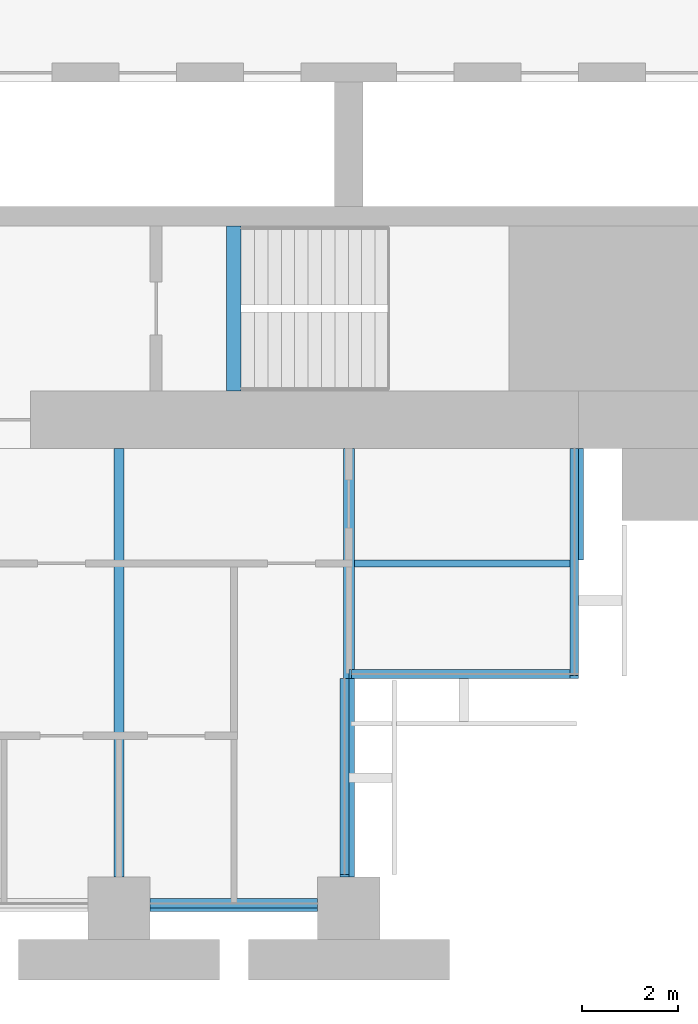
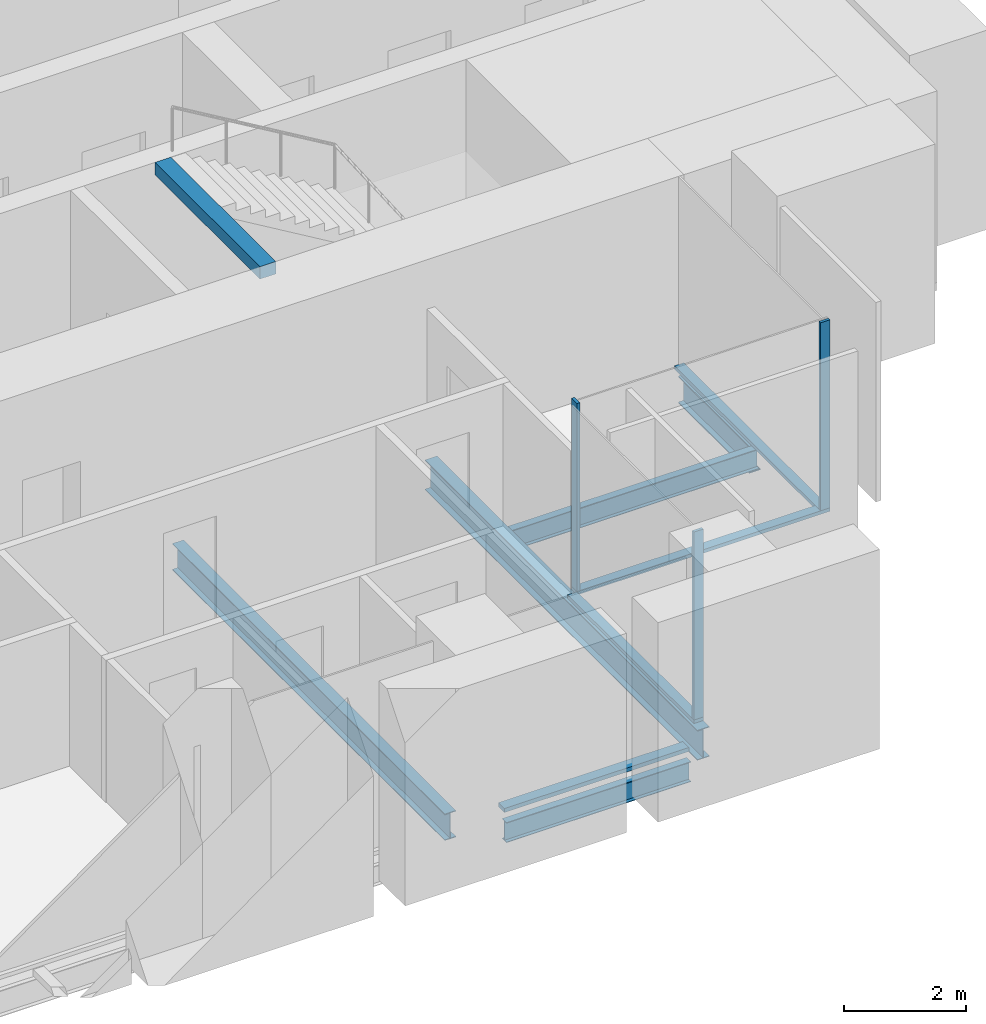
# One storey, part 4 of 14: 7 members, 6 beams, 4 elements without a shape of their own.
"""IFC4 building model written with IfcOpenShell, lengths in metres."""

import ifcopenshell
import ifcopenshell.guid

model = None  # the IFC model being written
_history = None  # IfcOwnerHistory: only IFC2X3 demands one
_inside = {}  # id of a spatial element -> (the spatial element, [elements in it])
_under = {}  # id of a project, library or spatial element -> (it, [spatial elements below it])
_declared = {}  # id of a project -> (the project, [libraries it declares])
_typed = {}  # id of a type object -> (the type object, [elements of that type])
_made_of = {}  # id of a material, layer set ... -> (it, [elements and type objects made of it])


def new_model(schema):
    """Start an empty IFC model of exactly this schema.

    Asked for "IFC4X3", IfcOpenShell would pick the latest addendum, in which some entities
    have other attributes; the version numbers below select the first issue.
    IFC2X3 requires an IfcOwnerHistory on every rooted entity: one is made here for all.
    """
    global model, _history
    if schema == "IFC4X3":
        model = ifcopenshell.file(schema_version=(4, 3, 0, 0))
    else:
        model = ifcopenshell.file(schema=schema)
    _inside.clear()
    _under.clear()
    _declared.clear()
    _typed.clear()
    _made_of.clear()
    _history = None
    if model.schema == "IFC2X3":
        org = make("IfcOrganization", Name="unknown")
        user = make(
            "IfcPersonAndOrganization",
            ThePerson=make("IfcPerson", FamilyName="unknown"),
            TheOrganization=org,
        )
        app = make(
            "IfcApplication",
            ApplicationDeveloper=org,
            Version="unknown",
            ApplicationFullName="unknown",
            ApplicationIdentifier="unknown",
        )
        _history = make(
            "IfcOwnerHistory",
            OwningUser=user,
            OwningApplication=app,
            ChangeAction="ADDED",
            CreationDate=0,
        )
    return model


def make(cls, **values):
    """One entity of the class cls with the attributes given. An attribute that is None is left unset."""
    return model.create_entity(
        cls, **{name: value for name, value in values.items() if value is not None}
    )


def rooted(cls, **values):
    """An entity with a GlobalId (a new one), such as an element, a storey or a relation."""
    return make(cls, GlobalId=ifcopenshell.guid.new(), OwnerHistory=_history, **values)


def si_unit(unit_type, name, prefix=None):
    """IfcSIUnit, for example si_unit("LENGTHUNIT", "METRE", prefix="MILLI")."""
    return make("IfcSIUnit", UnitType=unit_type, Prefix=prefix, Name=name)


def assignment(units):
    """IfcUnitAssignment: the units of a project."""
    return None if units is None else make("IfcUnitAssignment", Units=units)


def point(xyz):
    """IfcCartesianPoint."""
    return None if xyz is None else make("IfcCartesianPoint", Coordinates=xyz)


def direction(xyz):
    """IfcDirection."""
    return None if xyz is None else make("IfcDirection", DirectionRatios=xyz)


def frame(location, z_axis=None, x_axis=None):
    """IfcAxis2Placement3D, a coordinate frame: its origin and axes. An axis left out is left unset."""
    return make(
        "IfcAxis2Placement3D",
        Location=point(location),
        Axis=direction(z_axis),
        RefDirection=direction(x_axis),
    )


def frame_2d(location, x_axis=None):
    """IfcAxis2Placement2D, a coordinate frame in the plane: its origin and x axis."""
    return make(
        "IfcAxis2Placement2D", Location=point(location), RefDirection=direction(x_axis)
    )


def origin():
    """The frame at (0, 0, 0) with its axes left unset."""
    return frame((0.0, 0.0, 0.0))


def origin_2d():
    """The frame at (0, 0) in the plane with its x axis left unset."""
    return frame_2d((0.0, 0.0))


def place(relative_to, where):
    """IfcLocalPlacement: puts the frame where relative to a parent placement (None: the world)."""
    return make(
        "IfcLocalPlacement", PlacementRelTo=relative_to, RelativePlacement=where
    )


def context(
    kind, dimensions, precision=None, world=None, true_north=None, identifier=None
):
    """IfcGeometricRepresentationContext, for example the 3D "Model" context."""
    return make(
        "IfcGeometricRepresentationContext",
        ContextIdentifier=identifier,
        ContextType=kind,
        CoordinateSpaceDimension=dimensions,
        Precision=precision,
        WorldCoordinateSystem=world,
        TrueNorth=true_north,
    )


def subcontext(parent, identifier, kind, view, scale=None):
    """IfcGeometricRepresentationSubContext, for example "Body" below "Model"."""
    return make(
        "IfcGeometricRepresentationSubContext",
        ContextIdentifier=identifier,
        ContextType=kind,
        ParentContext=parent,
        TargetScale=scale,
        TargetView=view,
    )


def project(units=None, contexts=None):
    """IfcProject with its units and contexts."""
    return rooted(
        "IfcProject",
        Name="project",
        RepresentationContexts=contexts,
        UnitsInContext=assignment(units),
    )


def spatial(cls, under=None, at=None, **own):
    """A site, building, storey or space (cls), placed at a placement, below another one or the project."""
    s = rooted(cls, ObjectPlacement=at, **own)
    if under is not None:
        _under.setdefault(under.id(), (under, []))[1].append(s)
    return s


def profile(cls, at=None, kind="AREA", **sizes):
    """A parametric profile (cls). Its sizes go by their IFC names, for example OverallWidth=200.0."""
    return make(cls, ProfileType=kind, Position=at, **sizes)


def rectangle(**sizes):
    """IfcRectangleProfileDef."""
    return profile("IfcRectangleProfileDef", **sizes)


def i_section(**sizes):
    """IfcIShapeProfileDef."""
    return profile("IfcIShapeProfileDef", **sizes)


def extrude(swept, where, along, depth):
    """IfcExtrudedAreaSolid: the profile swept, set in the frame where, extruded along a direction by depth."""
    return make(
        "IfcExtrudedAreaSolid",
        SweptArea=swept,
        Position=where,
        ExtrudedDirection=direction(along),
        Depth=depth,
    )


def shape(context_of_items, identifier, shape_type, items):
    """IfcShapeRepresentation: the items that make up one representation, for example the "Body"."""
    return make(
        "IfcShapeRepresentation",
        ContextOfItems=context_of_items,
        RepresentationIdentifier=identifier,
        RepresentationType=shape_type,
        Items=items,
    )


def material(Name=None, Category=None):
    """IfcMaterial."""
    return make("IfcMaterial", Name=Name, Category=Category)


def material_profile(
    of_material, cross_section, Name=None, Category=None, Priority=None
):
    """IfcMaterialProfile: a cross section and its material."""
    return make(
        "IfcMaterialProfile",
        Name=Name,
        Material=of_material,
        Profile=cross_section,
        Priority=Priority,
        Category=Category,
    )


def profile_set(profiles, Name=None, composite=None):
    """IfcMaterialProfileSet."""
    return make(
        "IfcMaterialProfileSet",
        Name=Name,
        MaterialProfiles=profiles,
        CompositeProfile=composite,
    )


def made_of(thing, what):
    """Note that an element or type object is made of a material, layer set ...; save() writes the relation."""
    if what is not None:
        _made_of.setdefault(what.id(), (what, []))[1].append(thing)
    return thing


def type_object(cls, material=None, **own):
    """A type object (cls), such as IfcWallType, which elements share."""
    return made_of(rooted(cls, **own), material)


def element(
    cls,
    number,
    at=None,
    inside=None,
    cuts=None,
    type_object=None,
    material=None,
    context=None,
    identifier="Body",
    shape_type=None,
    held_by="IfcProductDefinitionShape",
    body=None,
    shapes=None,
    **own,
):
    """One element of the class cls, such as IfcWall. Its Tag is "e" and its number.

    at: its placement. inside: the storey or other place that contains it. cuts: it is an
    opening in that element (IfcRelVoidsElement). A single representation is given by context,
    identifier, shape_type and body (its items); several are given by shapes. held_by: the class
    of the entity that holds the representations. save() writes the other relations.
    """
    e = rooted(cls, Tag="e%d" % number, ObjectPlacement=at, **own)
    if body is not None:
        shapes = [shape(context, identifier, shape_type, body)]
    if shapes is not None:
        e.Representation = make(held_by, Representations=shapes)
    if inside is not None:
        _inside.setdefault(inside.id(), (inside, []))[1].append(e)
    if cuts is not None:
        rooted(
            "IfcRelVoidsElement", RelatingBuildingElement=cuts, RelatedOpeningElement=e
        )
    if type_object is not None:
        _typed.setdefault(type_object.id(), (type_object, []))[1].append(e)
    return made_of(e, material)


def aggregate(whole, parts):
    """IfcRelAggregates: a whole, such as a stair, and the parts it consists of."""
    return rooted("IfcRelAggregates", RelatingObject=whole, RelatedObjects=parts)


def save(model, path):
    """Write the relations noted so far, then the file.

    IfcRelAggregates (storeys below a building ...), IfcRelContainedInSpatialStructure (elements
    in a storey), IfcRelDefinesByType, IfcRelAssociatesMaterial and IfcRelDeclares: one each for
    every whole, place, type object, material and project.
    """
    for whole, parts in _under.values():
        aggregate(whole, parts)
    for where, things in _inside.values():
        rooted(
            "IfcRelContainedInSpatialStructure",
            RelatedElements=things,
            RelatingStructure=where,
        )
    for kind, things in _typed.values():
        rooted("IfcRelDefinesByType", RelatedObjects=things, RelatingType=kind)
    for what, things in _made_of.values():
        rooted("IfcRelAssociatesMaterial", RelatedObjects=things, RelatingMaterial=what)
    for by, libraries in _declared.values():
        rooted("IfcRelDeclares", RelatingContext=by, RelatedDefinitions=libraries)
    model.write(path)


model = new_model("IFC4")

# Units and contexts
model_context = context("Model", 3, precision=1e-05, world=origin(), true_north=direction((0.0, 1.0)))
body_context = subcontext(model_context, "Body", "Model", "MODEL_VIEW")
ifc_project = project(units=[si_unit("LENGTHUNIT", "METRE"), si_unit("AREAUNIT", "SQUARE_METRE"), si_unit("VOLUMEUNIT", "CUBIC_METRE"), si_unit("PLANEANGLEUNIT", "RADIAN"), si_unit("MASSUNIT", "GRAM", prefix="KILO")], contexts=[model_context])

# Site, building, storey
site_placement = place(None, origin())
site = spatial("IfcSite", under=ifc_project, at=site_placement, CompositionType="ELEMENT")
building_placement = place(site_placement, origin())
building = spatial("IfcBuilding", under=site, at=building_placement, Name="Baori Bourse Tower", CompositionType="ELEMENT")
storey_placement = place(building_placement, frame((0.0, 0.0, 55.0)))
storey = spatial("IfcBuildingStorey", under=building, at=storey_placement, Name="L11", CompositionType="ELEMENT", Elevation=55.0)

# Curtain wall, member
ifc_material_1 = material(Name="Pale anodised aluminium", Category="aluminium")
curtain_wall_type_1 = type_object("IfcCurtainWallType", Name="CW1 Curtain wall", PredefinedType="NOTDEFINED", material=ifc_material_1)
curtain_wall_1_placement = place(storey_placement, origin())
curtain_wall_1 = element("IfcCurtainWall", 1, at=curtain_wall_1_placement, inside=storey, type_object=curtain_wall_type_1, Name="Curtain wall CW1 L11 11", PredefinedType="NOTDEFINED")
ifc_material_2 = material(Name="Pale anodised aluminium", Category="aluminium")
ifc_material_profile_1 = material_profile(ifc_material_2, rectangle(XDim=0.199951171875, YDim=0.080078125, at=origin_2d()), Name="Transom 80x200")
ifc_profile_set_1 = profile_set([ifc_material_profile_1], Name="Pale anodised aluminium")
member_type_1 = type_object("IfcMemberType", Name="CW1 Curtain wall transom", PredefinedType="USERDEFINED", material=ifc_profile_set_1)
member_1_placement = place(storey_placement, frame((43.85009765625, 0.10009765625, 0.0400390625), z_axis=(1.0, 0.0, 0.0), x_axis=(0.0, 1.0, 0.0)))
member_1 = element("IfcMember", 2, at=member_1_placement, type_object=member_type_1, Name="Curtain wall CW1 sill rail", ObjectType="TRANSOM", PredefinedType="USERDEFINED", context=body_context, shape_type="SweptSolid", body=[
    extrude(rectangle(XDim=0.199951171875, YDim=0.080078125, at=origin_2d()), origin(), (0.0, 0.0, 1.0), 3.5),
])
aggregate(curtain_wall_1, [member_1])

ifc_material_3 = material(Name="Pale anodised aluminium", Category="aluminium")
curtain_wall_type_2 = type_object("IfcCurtainWallType", Name="CW2 Curtain wall", PredefinedType="NOTDEFINED", material=ifc_material_3)
curtain_wall_2_placement = place(storey_placement, origin())
curtain_wall_2 = element("IfcCurtainWall", 3, at=curtain_wall_2_placement, inside=storey, type_object=curtain_wall_type_2, Name="Curtain wall CW2 L11 12", PredefinedType="NOTDEFINED")
ifc_material_4 = material(Name="Pale anodised aluminium", Category="aluminium")
ifc_material_profile_2 = material_profile(ifc_material_4, rectangle(XDim=0.179931640625, YDim=0.054931640625, at=origin_2d()), Name="Mullion 55x180")
ifc_profile_set_2 = profile_set([ifc_material_profile_2], Name="Pale anodised aluminium")
member_type_2 = type_object("IfcMemberType", Name="CW2 Curtain wall mullion", PredefinedType="MULLION", material=ifc_profile_set_2)
member_2_placement = place(storey_placement, frame((47.909912109375, 0.677490234375, 0.070068359375), z_axis=(0.0, 0.0, 1.0), x_axis=(-1.0, 0.0, 0.0)))
member_2 = element("IfcMember", 4, at=member_2_placement, type_object=member_type_2, Name="Curtain wall CW2 mullion", PredefinedType="MULLION", context=body_context, shape_type="SweptSolid", body=[
    extrude(rectangle(XDim=0.179931640625, YDim=0.054931640625, at=origin_2d()), origin(), (0.0, 0.0, 1.0), 3.77001953125),
])

curtain_wall_3_placement = place(storey_placement, origin())
curtain_wall_3 = element("IfcCurtainWall", 5, at=curtain_wall_3_placement, inside=storey, type_object=curtain_wall_type_2, Name="Curtain wall CW2 L11 13", PredefinedType="NOTDEFINED")
member_3_placement = place(storey_placement, frame((48.027587890625, 4.889892578125, 0.070068359375), z_axis=(0.0, 0.0, 1.0), x_axis=(0.0, 1.0, 0.0)))
member_3 = element("IfcMember", 6, at=member_3_placement, type_object=member_type_2, Name="Curtain wall CW2 mullion", PredefinedType="MULLION", context=body_context, shape_type="SweptSolid", body=[
    extrude(rectangle(XDim=0.179931640625, YDim=0.054931640625, at=origin_2d()), origin(), (0.0, 0.0, 1.0), 3.77001953125),
])

curtain_wall_4_placement = place(storey_placement, origin())
curtain_wall_4 = element("IfcCurtainWall", 7, at=curtain_wall_4_placement, inside=storey, type_object=curtain_wall_type_2, Name="Curtain wall CW2 L11 14", PredefinedType="NOTDEFINED")
member_4_placement = place(storey_placement, frame((52.7099609375, 4.827392578125, 0.070068359375), z_axis=(0.0, 0.0, 1.0), x_axis=(-1.0, 0.0, 0.0)))
member_4 = element("IfcMember", 8, at=member_4_placement, type_object=member_type_2, Name="Curtain wall CW2 mullion", PredefinedType="MULLION", context=body_context, shape_type="SweptSolid", body=[
    extrude(rectangle(XDim=0.179931640625, YDim=0.054931640625, at=origin_2d()), origin(), (0.0, 0.0, 1.0), 3.77001953125),
])

# Member
ifc_material_5 = material(Name="Pale anodised aluminium", Category="aluminium")
ifc_material_profile_3 = material_profile(ifc_material_5, rectangle(XDim=0.179931640625, YDim=0.070068359375, at=origin_2d()), Name="Transom 70x180")
ifc_profile_set_3 = profile_set([ifc_material_profile_3], Name="Pale anodised aluminium")
member_type_3 = type_object("IfcMemberType", Name="CW2 Curtain wall transom", PredefinedType="USERDEFINED", material=ifc_profile_set_3)
member_5_placement = place(storey_placement, frame((47.909912109375, 0.64990234375, 0.034912109375), z_axis=(0.0, 1.0, 0.0), x_axis=(-1.0, 0.0, 0.0)))
member_5 = element("IfcMember", 9, at=member_5_placement, type_object=member_type_3, Name="Curtain wall CW2 sill rail", ObjectType="TRANSOM", PredefinedType="USERDEFINED", context=body_context, shape_type="SweptSolid", body=[
    extrude(rectangle(XDim=0.179931640625, YDim=0.070068359375, at=origin_2d()), origin(), (0.0, 0.0, 1.0), 4.150146484375),
])

aggregate(curtain_wall_2, [member_5, member_2])

member_6_placement = place(storey_placement, frame((48.0, 4.889892578125, 0.034912109375), z_axis=(1.0, 0.0, 0.0), x_axis=(0.0, 1.0, 0.0)))
member_6 = element("IfcMember", 10, at=member_6_placement, type_object=member_type_3, Name="Curtain wall CW2 sill rail", ObjectType="TRANSOM", PredefinedType="USERDEFINED", context=body_context, shape_type="SweptSolid", body=[
    extrude(rectangle(XDim=0.179931640625, YDim=0.070068359375, at=origin_2d()), origin(), (0.0, 0.0, 1.0), 4.800048828125),
])

aggregate(curtain_wall_3, [member_6, member_3])

member_7_placement = place(storey_placement, frame((52.7099609375, 4.800048828125, 0.034912109375), z_axis=(0.0, 1.0, 0.0), x_axis=(-1.0, 0.0, 0.0)))
member_7 = element("IfcMember", 11, at=member_7_placement, type_object=member_type_3, Name="Curtain wall CW2 sill rail", ObjectType="TRANSOM", PredefinedType="USERDEFINED", context=body_context, shape_type="SweptSolid", body=[
    extrude(rectangle(XDim=0.179931640625, YDim=0.070068359375, at=origin_2d()), origin(), (0.0, 0.0, 1.0), 4.800048828125),
])

aggregate(curtain_wall_4, [member_7, member_4])

# Beams
ifc_material_6 = material(Name="Steel A992 Gr 50", Category="steel")
ifc_material_profile_4 = material_profile(ifc_material_6, i_section(OverallWidth=0.21240234375, OverallDepth=0.54345703125, WebThickness=0.01318359375, FlangeThickness=0.021240234375, at=origin_2d()), Name="W21x83")
ifc_profile_set_4 = profile_set([ifc_material_profile_4], Name="Steel A992 Gr 50")
beam_type_1 = type_object("IfcBeamType", Name="Core bracket W21x83", PredefinedType="BEAM", material=ifc_profile_set_4)
beam_1_placement = place(storey_placement, frame((52.800048828125, 7.270263671875, -0.431884765625), z_axis=(0.0, 1.0, 0.0), x_axis=(-1.0, 0.0, 0.0)))
element("IfcBeam", 12, at=beam_1_placement, inside=storey, type_object=beam_type_1, Name="Core bracket L11", PredefinedType="BEAM", context=body_context, shape_type="SweptSolid", body=[
    extrude(i_section(OverallWidth=0.21240234375, OverallDepth=0.54345703125, WebThickness=0.01318359375, FlangeThickness=0.021240234375, at=origin_2d()), origin(), (0.0, 0.0, 1.0), 2.329833984375),
])
ifc_material_7 = material(Name="Steel A992 Gr 50", Category="steel")
ifc_material_profile_5 = material_profile(ifc_material_7, i_section(OverallWidth=0.140380859375, OverallDepth=0.40380859375, WebThickness=0.007080078125, FlangeThickness=0.01123046875, at=origin_2d()), Name="W16x31")
ifc_profile_set_5 = profile_set([ifc_material_profile_5], Name="Steel A992 Gr 50")
beam_type_2 = type_object("IfcBeamType", Name="Edge beam W16x31", PredefinedType="BEAM", material=ifc_profile_set_5)
beam_2_placement = place(storey_placement, frame((43.85009765625, 0.0, -0.36181640625), z_axis=(1.0, 0.0, 0.0), x_axis=(0.0, 1.0, 0.0)))
element("IfcBeam", 13, at=beam_2_placement, inside=storey, type_object=beam_type_2, Name="Edge beam L11", PredefinedType="BEAM", context=body_context, shape_type="SweptSolid", body=[
    extrude(i_section(OverallWidth=0.140380859375, OverallDepth=0.40380859375, WebThickness=0.007080078125, FlangeThickness=0.01123046875, at=origin_2d()), origin(), (0.0, 0.0, 1.0), 3.5),
])
ifc_material_8 = material(Name="Steel A992 Gr 50", Category="steel")
ifc_material_profile_6 = material_profile(ifc_material_8, i_section(OverallWidth=0.209228515625, OverallDepth=0.533447265625, WebThickness=0.01025390625, FlangeThickness=0.015625, at=origin_2d()), Name="W21x62")
ifc_profile_set_6 = profile_set([ifc_material_profile_6], Name="Steel A992 Gr 50")
beam_type_3 = type_object("IfcBeamType", Name="Floor beam W21x62", PredefinedType="BEAM", material=ifc_profile_set_6)
beam_3_placement = place(storey_placement, frame((43.199951171875, 0.64990234375, -0.4267578125), z_axis=(0.0, 1.0, 0.0), x_axis=(-1.0, 0.0, 0.0)))
element("IfcBeam", 14, at=beam_3_placement, inside=storey, type_object=beam_type_3, Name="Floor beam L11", PredefinedType="BEAM", context=body_context, shape_type="SweptSolid", body=[
    extrude(i_section(OverallWidth=0.209228515625, OverallDepth=0.533447265625, WebThickness=0.01025390625, FlangeThickness=0.015625, at=origin_2d()), origin(), (0.0, 0.0, 1.0), 8.9501953125),
])
ifc_material_9 = material(Name="Steel A992 Gr 50", Category="steel")
ifc_material_profile_7 = material_profile(ifc_material_9, i_section(OverallWidth=0.227783203125, OverallDepth=0.60205078125, WebThickness=0.010498046875, FlangeThickness=0.014892578125, at=origin_2d()), Name="W24x68")
ifc_profile_set_7 = profile_set([ifc_material_profile_7], Name="Steel A992 Gr 50")
beam_type_4 = type_object("IfcBeamType", Name="Floor beam W24x68", PredefinedType="BEAM", material=ifc_profile_set_7)
beam_4_placement = place(storey_placement, frame((48.0, 0.64990234375, -0.4609375), z_axis=(0.0, 1.0, 0.0), x_axis=(-1.0, 0.0, 0.0)))
element("IfcBeam", 15, at=beam_4_placement, inside=storey, type_object=beam_type_4, Name="Floor beam L11", PredefinedType="BEAM", context=body_context, shape_type="SweptSolid", body=[
    extrude(i_section(OverallWidth=0.227783203125, OverallDepth=0.60205078125, WebThickness=0.010498046875, FlangeThickness=0.014892578125, at=origin_2d()), origin(), (0.0, 0.0, 1.0), 8.9501953125),
])
ifc_material_10 = material(Name="Concrete f'c 50 MPa", Category="concrete")
ifc_material_profile_8 = material_profile(ifc_material_10, rectangle(XDim=0.300048828125, YDim=0.25, at=origin_2d()), Name="RC 300x250")
ifc_profile_set_8 = profile_set([ifc_material_profile_8], Name="Concrete f'c 50 MPa")
beam_type_5 = type_object("IfcBeamType", Name="Stair nib beam RC 300x250", PredefinedType="BEAM", material=ifc_profile_set_8)
beam_5_placement = place(storey_placement, frame((45.60009765625, 10.800048828125, 3.715087890625), z_axis=(0.0, 1.0, 0.0), x_axis=(-1.0, 0.0, 0.0)))
element("IfcBeam", 16, at=beam_5_placement, inside=storey, type_object=beam_type_5, Name="Stair EA nib beam L12", PredefinedType="BEAM", context=body_context, shape_type="SweptSolid", body=[
    extrude(rectangle(XDim=0.300048828125, YDim=0.25, at=origin_2d()), origin(), (0.0, 0.0, 1.0), 3.449951171875),
])
ifc_material_11 = material(Name="Steel A992 Gr 50", Category="steel")
ifc_material_profile_9 = material_profile(ifc_material_11, i_section(OverallWidth=0.140380859375, OverallDepth=0.40380859375, WebThickness=0.007080078125, FlangeThickness=0.01123046875, at=origin_2d()), Name="W16x31")
ifc_profile_set_9 = profile_set([ifc_material_profile_9], Name="Steel A992 Gr 50")
beam_type_6 = type_object("IfcBeamType", Name="Trimmer beam W16x31", PredefinedType="BEAM", material=ifc_profile_set_9)
beam_6_placement = place(storey_placement, frame((48.114013671875, 7.199951171875, -0.36181640625), z_axis=(1.0, 0.0, 0.0), x_axis=(0.0, 1.0, 0.0)))
element("IfcBeam", 17, at=beam_6_placement, inside=storey, type_object=beam_type_6, Name="Trimmer beam L11", PredefinedType="BEAM", context=body_context, shape_type="SweptSolid", body=[
    extrude(i_section(OverallWidth=0.140380859375, OverallDepth=0.40380859375, WebThickness=0.007080078125, FlangeThickness=0.01123046875, at=origin_2d()), origin(), (0.0, 0.0, 1.0), 4.68603515625),
])

save(model, "model.ifc")
